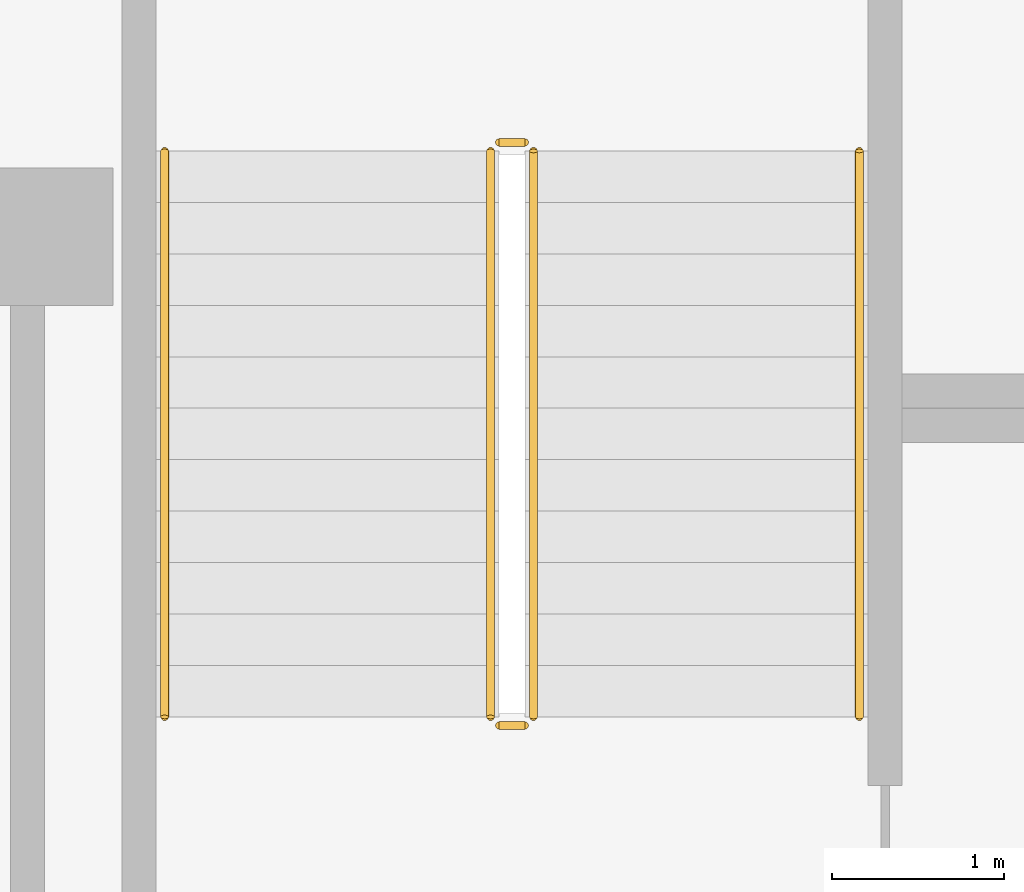
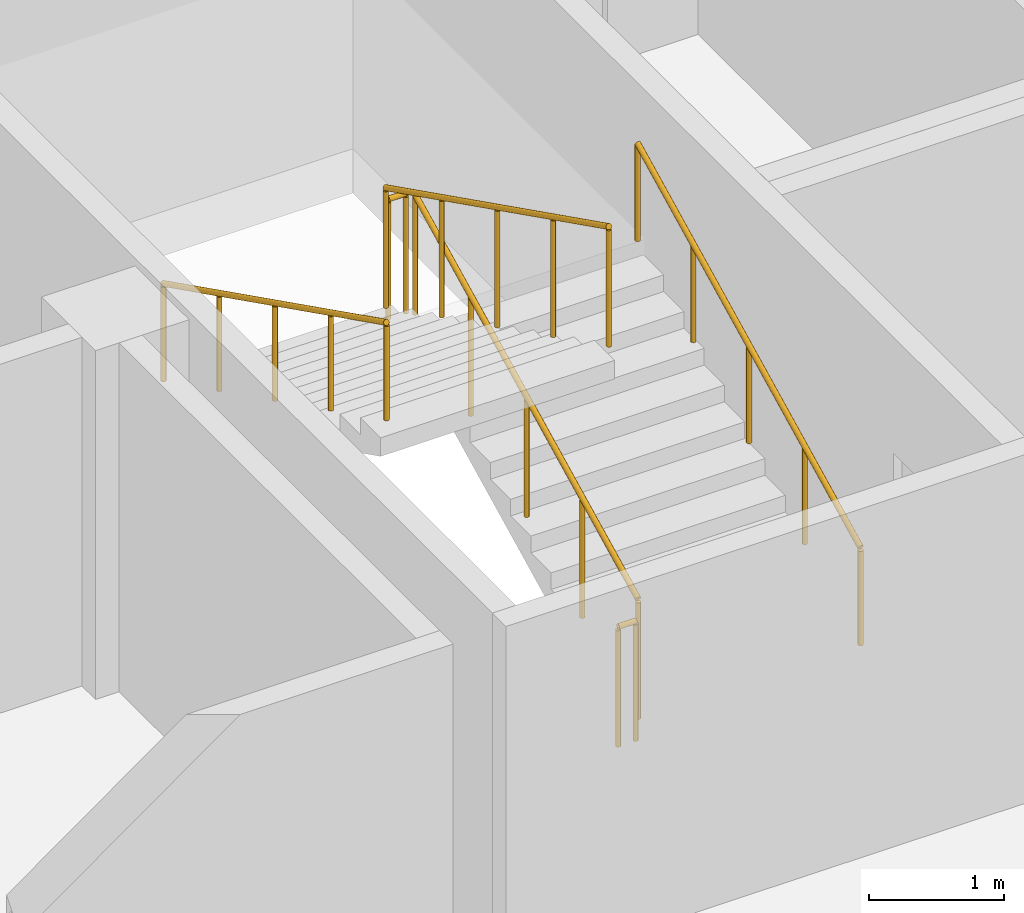
# One storey, part 31 of 37: 6 railings.
"""IFC4 building model written with IfcOpenShell, lengths in metres."""

from ifc_helpers import new_model, si_unit, direction, frame, origin, origin_2d, place, context, subcontext, project, spatial, circle, extrude, material, type_object, element, save


model = new_model("IFC4")

# Units and contexts
model_context = context("Model", 3, precision=1e-05, world=origin(), true_north=direction((0.0, 1.0)))
body_context = subcontext(model_context, "Body", "Model", "MODEL_VIEW")
ifc_project = project(units=[si_unit("LENGTHUNIT", "METRE"), si_unit("AREAUNIT", "SQUARE_METRE"), si_unit("VOLUMEUNIT", "CUBIC_METRE"), si_unit("PLANEANGLEUNIT", "RADIAN"), si_unit("MASSUNIT", "GRAM", prefix="KILO")], contexts=[model_context])

# Site, building, storey
site_placement = place(None, origin())
site = spatial("IfcSite", under=ifc_project, at=site_placement, CompositionType="ELEMENT")
building_placement = place(site_placement, origin())
building = spatial("IfcBuilding", under=site, at=building_placement, Name="Tamra Quay Hotel Tower", CompositionType="ELEMENT")
storey_placement = place(building_placement, frame((0.0, 0.0, -3.60009765625)))
storey = spatial("IfcBuildingStorey", under=building, at=storey_placement, Name="B1", CompositionType="ELEMENT", Elevation=-3.60009765625)

# Railings
ifc_material_1 = material(Name="Basement stair guard 1100")
railing_type_1 = type_object("IfcRailingType", Name="Basement stair guard 1100", PredefinedType="GUARDRAIL", material=ifc_material_1)
railing_1_placement = place(storey_placement, frame((31.35009765625, -18.800048828125, 0.150146484375)))
element("IfcRailing", 1, at=railing_1_placement, inside=storey, type_object=railing_type_1, Name="BSG", PredefinedType="GUARDRAIL", context=body_context, shape_type="SweptSolid", body=[
    extrude(circle(Radius=0.02392578125, at=origin_2d()), frame((0.0, 0.0, 1.076171875), z_axis=(0.0, 0.894440424912, 0.447187126696), x_axis=(-1.0, 0.0, 0.0)), (0.0, 0.0, 1.0), 3.689453125),
    extrude(circle(Radius=0.02099609375, at=origin_2d()), origin(), (0.0, 0.0, 1.0), 1.052001953125),
    extrude(circle(Radius=0.02099609375, at=origin_2d()), frame((0.0, 0.824951171875, 0.41259765625)), (0.0, 0.0, 1.0), 1.052001953125),
    extrude(circle(Radius=0.02099609375, at=origin_2d()), frame((0.0, 1.64990234375, 0.824951171875)), (0.0, 0.0, 1.0), 1.052001953125),
    extrude(circle(Radius=0.02099609375, at=origin_2d()), frame((0.0, 2.47509765625, 1.2373046875)), (0.0, 0.0, 1.0), 1.052001953125),
    extrude(circle(Radius=0.02099609375, at=origin_2d()), frame((0.0, 3.300048828125, 1.64990234375)), (0.0, 0.0, 1.0), 1.052001953125),
])
railing_2_placement = place(storey_placement, frame((31.300048828125, -15.449951171875, 1.800048828125)))
element("IfcRailing", 2, at=railing_2_placement, inside=storey, type_object=railing_type_1, Name="BSG", PredefinedType="GUARDRAIL", context=body_context, shape_type="SweptSolid", body=[
    extrude(circle(Radius=0.02392578125, at=origin_2d()), frame((0.0, 0.0, 1.076171875), z_axis=(-1.0, 0.0, 0.0), x_axis=(0.0, -1.0, 0.0)), (0.0, 0.0, 1.0), 0.150146484375),
    extrude(circle(Radius=0.02099609375, at=origin_2d()), origin(), (0.0, 0.0, 1.0), 1.052001953125),
    extrude(circle(Radius=0.02099609375, at=origin_2d()), frame((-0.150146484375, 0.0, 0.0)), (0.0, 0.0, 1.0), 1.052001953125),
])
railing_3_placement = place(storey_placement, frame((31.10009765625, -15.5, 1.9501953125)))
element("IfcRailing", 3, at=railing_3_placement, inside=storey, type_object=railing_type_1, Name="BSG", PredefinedType="GUARDRAIL", context=body_context, shape_type="SweptSolid", body=[
    extrude(circle(Radius=0.02392578125, at=origin_2d()), frame((0.0, 0.0, 1.076171875), z_axis=(0.0, -0.894440424912, 0.447187126696), x_axis=(1.0, 0.0, 0.0)), (0.0, 0.0, 1.0), 3.689453125),
    extrude(circle(Radius=0.02099609375, at=origin_2d()), origin(), (0.0, 0.0, 1.0), 1.052001953125),
    extrude(circle(Radius=0.02099609375, at=origin_2d()), frame((0.0, -0.824951171875, 0.41259765625)), (0.0, 0.0, 1.0), 1.052001953125),
    extrude(circle(Radius=0.02099609375, at=origin_2d()), frame((0.0, -1.64990234375, 0.824951171875)), (0.0, 0.0, 1.0), 1.052001953125),
    extrude(circle(Radius=0.02099609375, at=origin_2d()), frame((0.0, -2.47509765625, 1.2373046875)), (0.0, 0.0, 1.0), 1.052001953125),
    extrude(circle(Radius=0.02099609375, at=origin_2d()), frame((0.0, -3.300048828125, 1.64990234375)), (0.0, 0.0, 1.0), 1.052001953125),
])
railing_4_placement = place(storey_placement, frame((31.300048828125, -18.85009765625, 0.0)))
element("IfcRailing", 4, at=railing_4_placement, inside=storey, type_object=railing_type_1, Name="BSG", PredefinedType="GUARDRAIL", context=body_context, shape_type="SweptSolid", body=[
    extrude(circle(Radius=0.02392578125, at=origin_2d()), frame((0.0, 0.0, 1.076171875), z_axis=(-1.0, 0.0, 0.0), x_axis=(0.0, -1.0, 0.0)), (0.0, 0.0, 1.0), 0.150146484375),
    extrude(circle(Radius=0.02099609375, at=origin_2d()), origin(), (0.0, 0.0, 1.0), 1.052001953125),
    extrude(circle(Radius=0.02099609375, at=origin_2d()), frame((-0.150146484375, 0.0, 0.0)), (0.0, 0.0, 1.0), 1.052001953125),
])
ifc_material_2 = material(Name="Basement stair handrail 900")
railing_type_2 = type_object("IfcRailingType", Name="Basement stair handrail 900", PredefinedType="HANDRAIL", material=ifc_material_2)
railing_5_placement = place(storey_placement, frame((33.25, -18.800048828125, 0.150146484375)))
element("IfcRailing", 5, at=railing_5_placement, inside=storey, type_object=railing_type_2, Name="BSH", PredefinedType="HANDRAIL", context=body_context, shape_type="SweptSolid", body=[
    extrude(circle(Radius=0.02392578125, at=origin_2d()), frame((0.0, 0.0, 0.8759765625), z_axis=(0.0, 0.894440424912, 0.447187126696), x_axis=(-1.0, 0.0, 0.0)), (0.0, 0.0, 1.0), 3.689453125),
    extrude(circle(Radius=0.02099609375, at=origin_2d()), origin(), (0.0, 0.0, 1.0), 0.851806640625),
    extrude(circle(Radius=0.02099609375, at=origin_2d()), frame((0.0, 0.824951171875, 0.41259765625)), (0.0, 0.0, 1.0), 0.851806640625),
    extrude(circle(Radius=0.02099609375, at=origin_2d()), frame((0.0, 1.64990234375, 0.824951171875)), (0.0, 0.0, 1.0), 0.851806640625),
    extrude(circle(Radius=0.02099609375, at=origin_2d()), frame((0.0, 2.47509765625, 1.2373046875)), (0.0, 0.0, 1.0), 0.851806640625),
    extrude(circle(Radius=0.02099609375, at=origin_2d()), frame((0.0, 3.300048828125, 1.64990234375)), (0.0, 0.0, 1.0), 0.851806640625),
])
railing_6_placement = place(storey_placement, frame((29.199951171875, -15.5, 1.9501953125)))
element("IfcRailing", 6, at=railing_6_placement, inside=storey, type_object=railing_type_2, Name="BSH", PredefinedType="HANDRAIL", context=body_context, shape_type="SweptSolid", body=[
    extrude(circle(Radius=0.02392578125, at=origin_2d()), frame((0.0, 0.0, 0.8759765625), z_axis=(0.0, -0.894440424912, 0.447187126696), x_axis=(1.0, 0.0, 0.0)), (0.0, 0.0, 1.0), 3.689453125),
    extrude(circle(Radius=0.02099609375, at=origin_2d()), origin(), (0.0, 0.0, 1.0), 0.851806640625),
    extrude(circle(Radius=0.02099609375, at=origin_2d()), frame((0.0, -0.824951171875, 0.41259765625)), (0.0, 0.0, 1.0), 0.851806640625),
    extrude(circle(Radius=0.02099609375, at=origin_2d()), frame((0.0, -1.64990234375, 0.824951171875)), (0.0, 0.0, 1.0), 0.851806640625),
    extrude(circle(Radius=0.02099609375, at=origin_2d()), frame((0.0, -2.47509765625, 1.2373046875)), (0.0, 0.0, 1.0), 0.851806640625),
    extrude(circle(Radius=0.02099609375, at=origin_2d()), frame((0.0, -3.300048828125, 1.64990234375)), (0.0, 0.0, 1.0), 0.851806640625),
])

save(model, "model.ifc")
